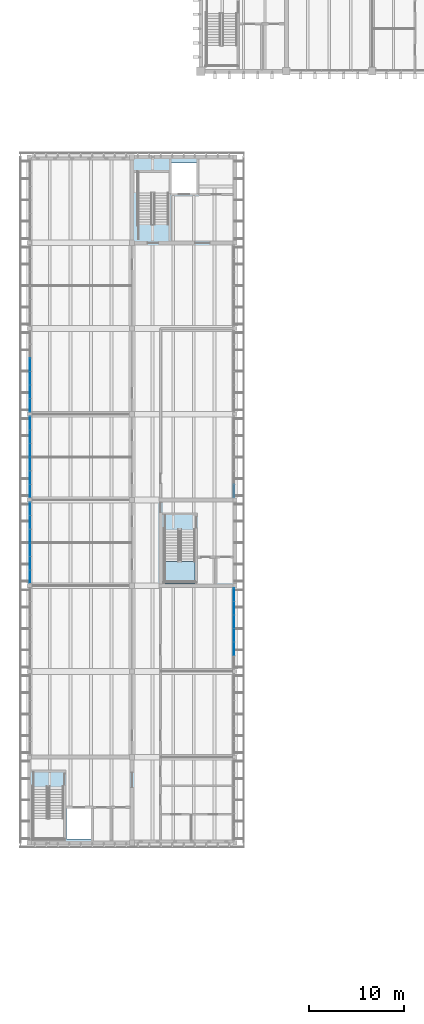
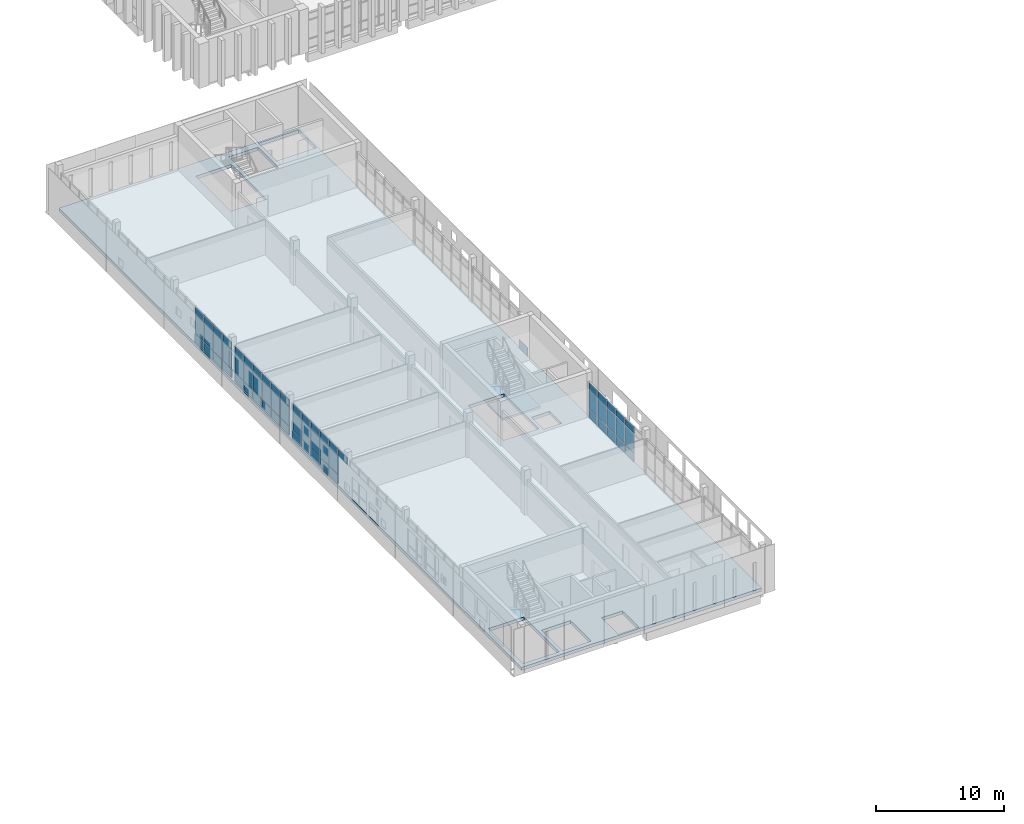
# One storey, part 24 of 50: 62 plates, 2 slabs, 6 elements without a shape of their own.
"""IFC4 building model written with IfcOpenShell, lengths in metres."""

from ifc_helpers import new_model, si_unit, direction, frame, origin, origin_2d, place, context, subcontext, project, spatial, polyline, rectangle, outline, extrude, material, layer, layer_set, type_object, element, aggregate, save


model = new_model("IFC4")

# Units and contexts
model_context = context("Model", 3, precision=1e-05, world=origin(), true_north=direction((0.0, 1.0)))
body_context = subcontext(model_context, "Body", "Model", "MODEL_VIEW")
ifc_project = project(units=[si_unit("LENGTHUNIT", "METRE"), si_unit("AREAUNIT", "SQUARE_METRE"), si_unit("VOLUMEUNIT", "CUBIC_METRE"), si_unit("PLANEANGLEUNIT", "RADIAN"), si_unit("MASSUNIT", "GRAM", prefix="KILO")], contexts=[model_context])

# Site, building, storey
site_placement = place(None, origin())
site = spatial("IfcSite", under=ifc_project, at=site_placement, CompositionType="ELEMENT")
building_placement = place(site_placement, origin())
building = spatial("IfcBuilding", under=site, at=building_placement, Name="Merrow Basin Faculty of Sciences", CompositionType="ELEMENT")
storey_placement = place(building_placement, frame((0.0, 0.0, 18.0)))
storey = spatial("IfcBuildingStorey", under=building, at=storey_placement, Name="L04", CompositionType="ELEMENT", Elevation=18.0)

# Slab
ifc_material_1 = material(Name="Concrete C40/50", Category="concrete")
ifc_layer_1 = layer(ifc_material_1, 0.300048828125)
ifc_layer_set_1 = layer_set([ifc_layer_1], Name="Floor slab 300 Concrete C40/50")
slab_type_1 = type_object("IfcSlabType", Name="Floor slab 300 Concrete C40/50", PredefinedType="FLOOR", material=ifc_layer_set_1)
slab_1_placement = place(storey_placement, frame((0.0, 0.0, -0.300048828125)))
element("IfcSlab", 1, at=slab_1_placement, inside=storey, type_object=slab_type_1, Name="SL11 floor L04 001", PredefinedType="FLOOR", context=body_context, shape_type="SweptSolid", body=[
    extrude(outline(polyline([(0.0, 133.0), (21.60009765625, 133.0), (21.60009765625, 61.0), (0.0, 61.0), (0.0, 133.0)]), holes=[polyline([(17.824951171875, 130.074951171875), (21.449951171875, 130.074951171875), (21.449951171875, 132.85009765625), (17.824951171875, 132.85009765625), (17.824951171875, 130.074951171875)]), polyline([(17.675048828125, 88.14990234375), (19.2890625, 88.14990234375), (19.2890625, 90.0), (17.675048828125, 90.0), (17.675048828125, 88.14990234375)]), polyline([(14.949951171875, 129.199951171875), (17.550048828125, 129.199951171875), (17.550048828125, 132.39990234375), (14.949951171875, 132.39990234375), (14.949951171875, 129.199951171875)]), polyline([(14.199951171875, 88.39990234375), (17.39990234375, 88.39990234375), (17.39990234375, 93.85009765625), (14.199951171875, 93.85009765625), (14.199951171875, 88.39990234375)]), polyline([(11.39990234375, 125.949951171875), (14.60009765625, 125.949951171875), (14.60009765625, 131.39990234375), (11.39990234375, 131.39990234375), (11.39990234375, 125.949951171875)]), polyline([(8.791015625, 61.14990234375), (10.64990234375, 61.14990234375), (10.64990234375, 63.72509765625), (8.791015625, 63.72509765625), (8.791015625, 61.14990234375)]), polyline([(3.89990234375, 61.39990234375), (6.5, 61.39990234375), (6.5, 64.60009765625), (3.89990234375, 64.60009765625), (3.89990234375, 61.39990234375)]), polyline([(0.39990234375, 61.39990234375), (3.60009765625, 61.39990234375), (3.60009765625, 66.85009765625), (0.39990234375, 66.85009765625), (0.39990234375, 61.39990234375)])]), origin(), (0.0, 0.0, 1.0), 0.300048828125),
])

# Curtain wall, plates
ifc_material_2 = material(Name="Aluminium alloy 6063", Category="aluminium")
curtain_wall_type = type_object("IfcCurtainWallType", Name="Bar unitised curtain wall 180", PredefinedType="NOTDEFINED", material=ifc_material_2)
curtain_wall_1_placement = place(storey_placement, origin())
curtain_wall_1 = element("IfcCurtainWall", 2, at=curtain_wall_1_placement, inside=storey, type_object=curtain_wall_type, Name="West curtain wall L04 3", PredefinedType="NOTDEFINED")
ifc_material_3 = material(Name="Insulated aluminium spandrel panel", Category="aluminium")
ifc_layer_2 = layer(ifc_material_3, 0.052001953125)
ifc_layer_set_2 = layer_set([ifc_layer_2], Name="Insulated spandrel panel 52")
plate_type_1 = type_object("IfcPlateType", Name="Insulated spandrel panel 52", PredefinedType="CURTAIN_PANEL", material=ifc_layer_set_2)
plate_1_placement = place(storey_placement, frame((0.090087890625, 90.362548828125, 0.06005859375), z_axis=(0.0, 0.0, 1.0), x_axis=(0.0, 1.0, 0.0)))
plate_1 = element("IfcPlate", 3, at=plate_1_placement, type_object=plate_type_1, Name="CW1 panel 2.1", PredefinedType="CURTAIN_PANEL", context=body_context, shape_type="SweptSolid", body=[
    extrude(rectangle(XDim=1.364990234375, YDim=0.052001953125, at=origin_2d()), origin(), (0.0, 0.0, 1.0), 0.81005859375),
])
plate_2_placement = place(storey_placement, frame((0.090087890625, 91.78759765625, 0.06005859375), z_axis=(0.0, 0.0, 1.0), x_axis=(0.0, 1.0, 0.0)))
plate_2 = element("IfcPlate", 4, at=plate_2_placement, type_object=plate_type_1, Name="CW1 panel 3.1", PredefinedType="CURTAIN_PANEL", context=body_context, shape_type="SweptSolid", body=[
    extrude(rectangle(XDim=1.364990234375, YDim=0.052001953125, at=origin_2d()), origin(), (0.0, 0.0, 1.0), 0.81005859375),
])
plate_3_placement = place(storey_placement, frame((0.090087890625, 93.21240234375, 0.06005859375), z_axis=(0.0, 0.0, 1.0), x_axis=(0.0, 1.0, 0.0)))
plate_3 = element("IfcPlate", 5, at=plate_3_placement, type_object=plate_type_1, Name="CW1 panel 4.1", PredefinedType="CURTAIN_PANEL", context=body_context, shape_type="SweptSolid", body=[
    extrude(rectangle(XDim=1.364990234375, YDim=0.052001953125, at=origin_2d()), origin(), (0.0, 0.0, 1.0), 0.81005859375),
])
plate_4_placement = place(storey_placement, frame((0.090087890625, 94.637451171875, 0.06005859375), z_axis=(0.0, 0.0, 1.0), x_axis=(0.0, 1.0, 0.0)))
plate_4 = element("IfcPlate", 6, at=plate_4_placement, type_object=plate_type_1, Name="CW1 panel 5.1", PredefinedType="CURTAIN_PANEL", context=body_context, shape_type="SweptSolid", body=[
    extrude(rectangle(XDim=1.364990234375, YDim=0.052001953125, at=origin_2d()), origin(), (0.0, 0.0, 1.0), 0.81005859375),
])
plate_5_placement = place(storey_placement, frame((0.090087890625, 96.047607421875, 0.06005859375), z_axis=(0.0, 0.0, 1.0), x_axis=(0.0, 1.0, 0.0)))
plate_5 = element("IfcPlate", 7, at=plate_5_placement, type_object=plate_type_1, Name="CW1 panel 6.1", PredefinedType="CURTAIN_PANEL", context=body_context, shape_type="SweptSolid", body=[
    extrude(rectangle(XDim=1.3349609375, YDim=0.052001953125, at=origin_2d()), origin(), (0.0, 0.0, 1.0), 0.81005859375),
])

curtain_wall_2_placement = place(storey_placement, origin())
curtain_wall_2 = element("IfcCurtainWall", 8, at=curtain_wall_2_placement, inside=storey, type_object=curtain_wall_type, Name="West curtain wall L04 4", PredefinedType="NOTDEFINED")
plate_6_placement = place(storey_placement, frame((0.090087890625, 97.952392578125, 0.06005859375), z_axis=(0.0, 0.0, 1.0), x_axis=(0.0, 1.0, 0.0)))
plate_6 = element("IfcPlate", 9, at=plate_6_placement, type_object=plate_type_1, Name="CW1 panel 1.1", PredefinedType="CURTAIN_PANEL", context=body_context, shape_type="SweptSolid", body=[
    extrude(rectangle(XDim=1.3349609375, YDim=0.052001953125, at=origin_2d()), origin(), (0.0, 0.0, 1.0), 0.81005859375),
])
plate_7_placement = place(storey_placement, frame((0.090087890625, 99.362548828125, 0.06005859375), z_axis=(0.0, 0.0, 1.0), x_axis=(0.0, 1.0, 0.0)))
plate_7 = element("IfcPlate", 10, at=plate_7_placement, type_object=plate_type_1, Name="CW1 panel 2.1", PredefinedType="CURTAIN_PANEL", context=body_context, shape_type="SweptSolid", body=[
    extrude(rectangle(XDim=1.364990234375, YDim=0.052001953125, at=origin_2d()), origin(), (0.0, 0.0, 1.0), 0.81005859375),
])
plate_8_placement = place(storey_placement, frame((0.090087890625, 100.78759765625, 0.06005859375), z_axis=(0.0, 0.0, 1.0), x_axis=(0.0, 1.0, 0.0)))
plate_8 = element("IfcPlate", 11, at=plate_8_placement, type_object=plate_type_1, Name="CW1 panel 3.1", PredefinedType="CURTAIN_PANEL", context=body_context, shape_type="SweptSolid", body=[
    extrude(rectangle(XDim=1.364990234375, YDim=0.052001953125, at=origin_2d()), origin(), (0.0, 0.0, 1.0), 0.81005859375),
])
plate_9_placement = place(storey_placement, frame((0.090087890625, 102.21240234375, 0.06005859375), z_axis=(0.0, 0.0, 1.0), x_axis=(0.0, 1.0, 0.0)))
plate_9 = element("IfcPlate", 12, at=plate_9_placement, type_object=plate_type_1, Name="CW1 panel 4.1", PredefinedType="CURTAIN_PANEL", context=body_context, shape_type="SweptSolid", body=[
    extrude(rectangle(XDim=1.364990234375, YDim=0.052001953125, at=origin_2d()), origin(), (0.0, 0.0, 1.0), 0.81005859375),
])
plate_10_placement = place(storey_placement, frame((0.090087890625, 103.637451171875, 0.06005859375), z_axis=(0.0, 0.0, 1.0), x_axis=(0.0, 1.0, 0.0)))
plate_10 = element("IfcPlate", 13, at=plate_10_placement, type_object=plate_type_1, Name="CW1 panel 5.1", PredefinedType="CURTAIN_PANEL", context=body_context, shape_type="SweptSolid", body=[
    extrude(rectangle(XDim=1.364990234375, YDim=0.052001953125, at=origin_2d()), origin(), (0.0, 0.0, 1.0), 0.81005859375),
])
plate_11_placement = place(storey_placement, frame((0.090087890625, 105.047607421875, 0.06005859375), z_axis=(0.0, 0.0, 1.0), x_axis=(0.0, 1.0, 0.0)))
plate_11 = element("IfcPlate", 14, at=plate_11_placement, type_object=plate_type_1, Name="CW1 panel 6.1", PredefinedType="CURTAIN_PANEL", context=body_context, shape_type="SweptSolid", body=[
    extrude(rectangle(XDim=1.3349609375, YDim=0.052001953125, at=origin_2d()), origin(), (0.0, 0.0, 1.0), 0.81005859375),
])

curtain_wall_3_placement = place(storey_placement, origin())
curtain_wall_3 = element("IfcCurtainWall", 15, at=curtain_wall_3_placement, inside=storey, type_object=curtain_wall_type, Name="West curtain wall L04 5", PredefinedType="NOTDEFINED")
plate_12_placement = place(storey_placement, frame((0.090087890625, 106.952392578125, 0.06005859375), z_axis=(0.0, 0.0, 1.0), x_axis=(0.0, 1.0, 0.0)))
plate_12 = element("IfcPlate", 16, at=plate_12_placement, type_object=plate_type_1, Name="CW1 panel 1.1", PredefinedType="CURTAIN_PANEL", context=body_context, shape_type="SweptSolid", body=[
    extrude(rectangle(XDim=1.3349609375, YDim=0.052001953125, at=origin_2d()), origin(), (0.0, 0.0, 1.0), 0.81005859375),
])
plate_13_placement = place(storey_placement, frame((0.090087890625, 108.362548828125, 0.06005859375), z_axis=(0.0, 0.0, 1.0), x_axis=(0.0, 1.0, 0.0)))
plate_13 = element("IfcPlate", 17, at=plate_13_placement, type_object=plate_type_1, Name="CW1 panel 2.1", PredefinedType="CURTAIN_PANEL", context=body_context, shape_type="SweptSolid", body=[
    extrude(rectangle(XDim=1.364990234375, YDim=0.052001953125, at=origin_2d()), origin(), (0.0, 0.0, 1.0), 0.81005859375),
])
plate_14_placement = place(storey_placement, frame((0.090087890625, 109.78759765625, 0.06005859375), z_axis=(0.0, 0.0, 1.0), x_axis=(0.0, 1.0, 0.0)))
plate_14 = element("IfcPlate", 18, at=plate_14_placement, type_object=plate_type_1, Name="CW1 panel 3.1", PredefinedType="CURTAIN_PANEL", context=body_context, shape_type="SweptSolid", body=[
    extrude(rectangle(XDim=1.364990234375, YDim=0.052001953125, at=origin_2d()), origin(), (0.0, 0.0, 1.0), 0.81005859375),
])
plate_15_placement = place(storey_placement, frame((0.090087890625, 111.21240234375, 0.06005859375), z_axis=(0.0, 0.0, 1.0), x_axis=(0.0, 1.0, 0.0)))
plate_15 = element("IfcPlate", 19, at=plate_15_placement, type_object=plate_type_1, Name="CW1 panel 4.1", PredefinedType="CURTAIN_PANEL", context=body_context, shape_type="SweptSolid", body=[
    extrude(rectangle(XDim=1.364990234375, YDim=0.052001953125, at=origin_2d()), origin(), (0.0, 0.0, 1.0), 0.81005859375),
])

curtain_wall_4_placement = place(storey_placement, origin())
curtain_wall_4 = element("IfcCurtainWall", 20, at=curtain_wall_4_placement, inside=storey, type_object=curtain_wall_type, Name="East curtain wall L04 3", PredefinedType="NOTDEFINED")
plate_16_placement = place(storey_placement, frame((21.510009765625, 81.362548828125, 0.06005859375), z_axis=(0.0, 0.0, 1.0), x_axis=(0.0, 1.0, 0.0)))
plate_16 = element("IfcPlate", 21, at=plate_16_placement, type_object=plate_type_1, Name="CW1 panel 2.1", PredefinedType="CURTAIN_PANEL", context=body_context, shape_type="SweptSolid", body=[
    extrude(rectangle(XDim=1.364990234375, YDim=0.052001953125, at=origin_2d()), origin(), (0.0, 0.0, 1.0), 0.81005859375),
])
plate_17_placement = place(storey_placement, frame((21.510009765625, 82.78759765625, 0.06005859375), z_axis=(0.0, 0.0, 1.0), x_axis=(0.0, 1.0, 0.0)))
plate_17 = element("IfcPlate", 22, at=plate_17_placement, type_object=plate_type_1, Name="CW1 panel 3.1", PredefinedType="CURTAIN_PANEL", context=body_context, shape_type="SweptSolid", body=[
    extrude(rectangle(XDim=1.364990234375, YDim=0.052001953125, at=origin_2d()), origin(), (0.0, 0.0, 1.0), 0.81005859375),
])
plate_18_placement = place(storey_placement, frame((21.510009765625, 84.21240234375, 0.06005859375), z_axis=(0.0, 0.0, 1.0), x_axis=(0.0, 1.0, 0.0)))
plate_18 = element("IfcPlate", 23, at=plate_18_placement, type_object=plate_type_1, Name="CW1 panel 4.1", PredefinedType="CURTAIN_PANEL", context=body_context, shape_type="SweptSolid", body=[
    extrude(rectangle(XDim=1.364990234375, YDim=0.052001953125, at=origin_2d()), origin(), (0.0, 0.0, 1.0), 0.81005859375),
])
plate_19_placement = place(storey_placement, frame((21.510009765625, 85.637451171875, 0.06005859375), z_axis=(0.0, 0.0, 1.0), x_axis=(0.0, 1.0, 0.0)))
plate_19 = element("IfcPlate", 24, at=plate_19_placement, type_object=plate_type_1, Name="CW1 panel 5.1", PredefinedType="CURTAIN_PANEL", context=body_context, shape_type="SweptSolid", body=[
    extrude(rectangle(XDim=1.364990234375, YDim=0.052001953125, at=origin_2d()), origin(), (0.0, 0.0, 1.0), 0.81005859375),
])
plate_20_placement = place(storey_placement, frame((21.510009765625, 87.047607421875, 0.06005859375), z_axis=(0.0, 0.0, 1.0), x_axis=(0.0, 1.0, 0.0)))
plate_20 = element("IfcPlate", 25, at=plate_20_placement, type_object=plate_type_1, Name="CW1 panel 6.1", PredefinedType="CURTAIN_PANEL", context=body_context, shape_type="SweptSolid", body=[
    extrude(rectangle(XDim=1.3349609375, YDim=0.052001953125, at=origin_2d()), origin(), (0.0, 0.0, 1.0), 0.81005859375),
])

# Curtain wall, plate
curtain_wall_5_placement = place(storey_placement, origin())
curtain_wall_5 = element("IfcCurtainWall", 26, at=curtain_wall_5_placement, inside=storey, type_object=curtain_wall_type, Name="East curtain wall L04 4", PredefinedType="NOTDEFINED")
plate_21_placement = place(storey_placement, frame((21.510009765625, 97.952392578125, 0.06005859375), z_axis=(0.0, 0.0, 1.0), x_axis=(0.0, 1.0, 0.0)))
plate_21 = element("IfcPlate", 27, at=plate_21_placement, type_object=plate_type_1, Name="CW1 panel 1.1", PredefinedType="CURTAIN_PANEL", context=body_context, shape_type="SweptSolid", body=[
    extrude(rectangle(XDim=1.3349609375, YDim=0.052001953125, at=origin_2d()), origin(), (0.0, 0.0, 1.0), 0.81005859375),
])
aggregate(curtain_wall_5, [plate_21])

# Plate
ifc_material_4 = material(Name="Low-E double glazing", Category="glass")
ifc_layer_3 = layer(ifc_material_4, 0.028076171875)
ifc_layer_set_3 = layer_set([ifc_layer_3], Name="Low-E double glazed panel 28")
plate_type_2 = type_object("IfcPlateType", Name="Low-E double glazed panel 28", PredefinedType="CURTAIN_PANEL", material=ifc_layer_set_3)
plate_22_placement = place(storey_placement, frame((0.090087890625, 88.952392578125, 2.72998046875), z_axis=(0.0, 0.0, 1.0), x_axis=(0.0, 1.0, 0.0)))
plate_22 = element("IfcPlate", 28, at=plate_22_placement, type_object=plate_type_2, Name="CW1 panel 1.3", PredefinedType="CURTAIN_PANEL", context=body_context, shape_type="SweptSolid", body=[
    extrude(rectangle(XDim=1.3349609375, YDim=0.028076171875, at=origin_2d()), origin(), (0.0, 0.0, 1.0), 0.659912109375),
])

plate_23_placement = place(storey_placement, frame((0.090087890625, 90.362548828125, 0.93017578125), z_axis=(0.0, 0.0, 1.0), x_axis=(0.0, 1.0, 0.0)))
plate_23 = element("IfcPlate", 29, at=plate_23_placement, type_object=plate_type_2, Name="CW1 panel 2.2", PredefinedType="CURTAIN_PANEL", context=body_context, shape_type="SweptSolid", body=[
    extrude(rectangle(XDim=1.364990234375, YDim=0.028076171875, at=origin_2d()), origin(), (0.0, 0.0, 1.0), 1.739990234375),
])

plate_24_placement = place(storey_placement, frame((0.090087890625, 90.362548828125, 2.72998046875), z_axis=(0.0, 0.0, 1.0), x_axis=(0.0, 1.0, 0.0)))
plate_24 = element("IfcPlate", 30, at=plate_24_placement, type_object=plate_type_2, Name="CW1 panel 2.3", PredefinedType="CURTAIN_PANEL", context=body_context, shape_type="SweptSolid", body=[
    extrude(rectangle(XDim=1.364990234375, YDim=0.028076171875, at=origin_2d()), origin(), (0.0, 0.0, 1.0), 0.659912109375),
])

plate_25_placement = place(storey_placement, frame((0.090087890625, 91.78759765625, 0.93017578125), z_axis=(0.0, 0.0, 1.0), x_axis=(0.0, 1.0, 0.0)))
plate_25 = element("IfcPlate", 31, at=plate_25_placement, type_object=plate_type_2, Name="CW1 panel 3.2", PredefinedType="CURTAIN_PANEL", context=body_context, shape_type="SweptSolid", body=[
    extrude(rectangle(XDim=1.364990234375, YDim=0.028076171875, at=origin_2d()), origin(), (0.0, 0.0, 1.0), 1.739990234375),
])

plate_26_placement = place(storey_placement, frame((0.090087890625, 91.78759765625, 2.72998046875), z_axis=(0.0, 0.0, 1.0), x_axis=(0.0, 1.0, 0.0)))
plate_26 = element("IfcPlate", 32, at=plate_26_placement, type_object=plate_type_2, Name="CW1 panel 3.3", PredefinedType="CURTAIN_PANEL", context=body_context, shape_type="SweptSolid", body=[
    extrude(rectangle(XDim=1.364990234375, YDim=0.028076171875, at=origin_2d()), origin(), (0.0, 0.0, 1.0), 0.659912109375),
])

plate_27_placement = place(storey_placement, frame((0.090087890625, 93.21240234375, 0.93017578125), z_axis=(0.0, 0.0, 1.0), x_axis=(0.0, 1.0, 0.0)))
plate_27 = element("IfcPlate", 33, at=plate_27_placement, type_object=plate_type_2, Name="CW1 panel 4.2", PredefinedType="CURTAIN_PANEL", context=body_context, shape_type="SweptSolid", body=[
    extrude(rectangle(XDim=1.364990234375, YDim=0.028076171875, at=origin_2d()), origin(), (0.0, 0.0, 1.0), 1.739990234375),
])

plate_28_placement = place(storey_placement, frame((0.090087890625, 93.21240234375, 2.72998046875), z_axis=(0.0, 0.0, 1.0), x_axis=(0.0, 1.0, 0.0)))
plate_28 = element("IfcPlate", 34, at=plate_28_placement, type_object=plate_type_2, Name="CW1 panel 4.3", PredefinedType="CURTAIN_PANEL", context=body_context, shape_type="SweptSolid", body=[
    extrude(rectangle(XDim=1.364990234375, YDim=0.028076171875, at=origin_2d()), origin(), (0.0, 0.0, 1.0), 0.659912109375),
])

plate_29_placement = place(storey_placement, frame((0.090087890625, 94.637451171875, 0.93017578125), z_axis=(0.0, 0.0, 1.0), x_axis=(0.0, 1.0, 0.0)))
plate_29 = element("IfcPlate", 35, at=plate_29_placement, type_object=plate_type_2, Name="CW1 panel 5.2", PredefinedType="CURTAIN_PANEL", context=body_context, shape_type="SweptSolid", body=[
    extrude(rectangle(XDim=1.364990234375, YDim=0.028076171875, at=origin_2d()), origin(), (0.0, 0.0, 1.0), 1.739990234375),
])

plate_30_placement = place(storey_placement, frame((0.090087890625, 94.637451171875, 2.72998046875), z_axis=(0.0, 0.0, 1.0), x_axis=(0.0, 1.0, 0.0)))
plate_30 = element("IfcPlate", 36, at=plate_30_placement, type_object=plate_type_2, Name="CW1 panel 5.3", PredefinedType="CURTAIN_PANEL", context=body_context, shape_type="SweptSolid", body=[
    extrude(rectangle(XDim=1.364990234375, YDim=0.028076171875, at=origin_2d()), origin(), (0.0, 0.0, 1.0), 0.659912109375),
])

plate_31_placement = place(storey_placement, frame((0.090087890625, 96.047607421875, 0.93017578125), z_axis=(0.0, 0.0, 1.0), x_axis=(0.0, 1.0, 0.0)))
plate_31 = element("IfcPlate", 37, at=plate_31_placement, type_object=plate_type_2, Name="CW1 panel 6.2", PredefinedType="CURTAIN_PANEL", context=body_context, shape_type="SweptSolid", body=[
    extrude(rectangle(XDim=1.3349609375, YDim=0.028076171875, at=origin_2d()), origin(), (0.0, 0.0, 1.0), 1.739990234375),
])

plate_32_placement = place(storey_placement, frame((0.090087890625, 96.047607421875, 2.72998046875), z_axis=(0.0, 0.0, 1.0), x_axis=(0.0, 1.0, 0.0)))
plate_32 = element("IfcPlate", 38, at=plate_32_placement, type_object=plate_type_2, Name="CW1 panel 6.3", PredefinedType="CURTAIN_PANEL", context=body_context, shape_type="SweptSolid", body=[
    extrude(rectangle(XDim=1.3349609375, YDim=0.028076171875, at=origin_2d()), origin(), (0.0, 0.0, 1.0), 0.659912109375),
])

aggregate(curtain_wall_1, [plate_22, plate_1, plate_23, plate_24, plate_2, plate_25, plate_26, plate_3, plate_27, plate_28, plate_4, plate_29, plate_30, plate_5, plate_31, plate_32])

plate_33_placement = place(storey_placement, frame((0.090087890625, 97.952392578125, 0.93017578125), z_axis=(0.0, 0.0, 1.0), x_axis=(0.0, 1.0, 0.0)))
plate_33 = element("IfcPlate", 39, at=plate_33_placement, type_object=plate_type_2, Name="CW1 panel 1.2", PredefinedType="CURTAIN_PANEL", context=body_context, shape_type="SweptSolid", body=[
    extrude(rectangle(XDim=1.3349609375, YDim=0.028076171875, at=origin_2d()), origin(), (0.0, 0.0, 1.0), 1.739990234375),
])

plate_34_placement = place(storey_placement, frame((0.090087890625, 97.952392578125, 2.72998046875), z_axis=(0.0, 0.0, 1.0), x_axis=(0.0, 1.0, 0.0)))
plate_34 = element("IfcPlate", 40, at=plate_34_placement, type_object=plate_type_2, Name="CW1 panel 1.3", PredefinedType="CURTAIN_PANEL", context=body_context, shape_type="SweptSolid", body=[
    extrude(rectangle(XDim=1.3349609375, YDim=0.028076171875, at=origin_2d()), origin(), (0.0, 0.0, 1.0), 0.659912109375),
])

plate_35_placement = place(storey_placement, frame((0.090087890625, 99.362548828125, 0.93017578125), z_axis=(0.0, 0.0, 1.0), x_axis=(0.0, 1.0, 0.0)))
plate_35 = element("IfcPlate", 41, at=plate_35_placement, type_object=plate_type_2, Name="CW1 panel 2.2", PredefinedType="CURTAIN_PANEL", context=body_context, shape_type="SweptSolid", body=[
    extrude(rectangle(XDim=1.364990234375, YDim=0.028076171875, at=origin_2d()), origin(), (0.0, 0.0, 1.0), 1.739990234375),
])

plate_36_placement = place(storey_placement, frame((0.090087890625, 99.362548828125, 2.72998046875), z_axis=(0.0, 0.0, 1.0), x_axis=(0.0, 1.0, 0.0)))
plate_36 = element("IfcPlate", 42, at=plate_36_placement, type_object=plate_type_2, Name="CW1 panel 2.3", PredefinedType="CURTAIN_PANEL", context=body_context, shape_type="SweptSolid", body=[
    extrude(rectangle(XDim=1.364990234375, YDim=0.028076171875, at=origin_2d()), origin(), (0.0, 0.0, 1.0), 0.659912109375),
])

plate_37_placement = place(storey_placement, frame((0.090087890625, 100.78759765625, 0.93017578125), z_axis=(0.0, 0.0, 1.0), x_axis=(0.0, 1.0, 0.0)))
plate_37 = element("IfcPlate", 43, at=plate_37_placement, type_object=plate_type_2, Name="CW1 panel 3.2", PredefinedType="CURTAIN_PANEL", context=body_context, shape_type="SweptSolid", body=[
    extrude(rectangle(XDim=1.364990234375, YDim=0.028076171875, at=origin_2d()), origin(), (0.0, 0.0, 1.0), 1.739990234375),
])

plate_38_placement = place(storey_placement, frame((0.090087890625, 100.78759765625, 2.72998046875), z_axis=(0.0, 0.0, 1.0), x_axis=(0.0, 1.0, 0.0)))
plate_38 = element("IfcPlate", 44, at=plate_38_placement, type_object=plate_type_2, Name="CW1 panel 3.3", PredefinedType="CURTAIN_PANEL", context=body_context, shape_type="SweptSolid", body=[
    extrude(rectangle(XDim=1.364990234375, YDim=0.028076171875, at=origin_2d()), origin(), (0.0, 0.0, 1.0), 0.659912109375),
])

plate_39_placement = place(storey_placement, frame((0.090087890625, 102.21240234375, 0.93017578125), z_axis=(0.0, 0.0, 1.0), x_axis=(0.0, 1.0, 0.0)))
plate_39 = element("IfcPlate", 45, at=plate_39_placement, type_object=plate_type_2, Name="CW1 panel 4.2", PredefinedType="CURTAIN_PANEL", context=body_context, shape_type="SweptSolid", body=[
    extrude(rectangle(XDim=1.364990234375, YDim=0.028076171875, at=origin_2d()), origin(), (0.0, 0.0, 1.0), 1.739990234375),
])

plate_40_placement = place(storey_placement, frame((0.090087890625, 102.21240234375, 2.72998046875), z_axis=(0.0, 0.0, 1.0), x_axis=(0.0, 1.0, 0.0)))
plate_40 = element("IfcPlate", 46, at=plate_40_placement, type_object=plate_type_2, Name="CW1 panel 4.3", PredefinedType="CURTAIN_PANEL", context=body_context, shape_type="SweptSolid", body=[
    extrude(rectangle(XDim=1.364990234375, YDim=0.028076171875, at=origin_2d()), origin(), (0.0, 0.0, 1.0), 0.659912109375),
])

plate_41_placement = place(storey_placement, frame((0.090087890625, 103.637451171875, 0.93017578125), z_axis=(0.0, 0.0, 1.0), x_axis=(0.0, 1.0, 0.0)))
plate_41 = element("IfcPlate", 47, at=plate_41_placement, type_object=plate_type_2, Name="CW1 panel 5.2", PredefinedType="CURTAIN_PANEL", context=body_context, shape_type="SweptSolid", body=[
    extrude(rectangle(XDim=1.364990234375, YDim=0.028076171875, at=origin_2d()), origin(), (0.0, 0.0, 1.0), 1.739990234375),
])

plate_42_placement = place(storey_placement, frame((0.090087890625, 103.637451171875, 2.72998046875), z_axis=(0.0, 0.0, 1.0), x_axis=(0.0, 1.0, 0.0)))
plate_42 = element("IfcPlate", 48, at=plate_42_placement, type_object=plate_type_2, Name="CW1 panel 5.3", PredefinedType="CURTAIN_PANEL", context=body_context, shape_type="SweptSolid", body=[
    extrude(rectangle(XDim=1.364990234375, YDim=0.028076171875, at=origin_2d()), origin(), (0.0, 0.0, 1.0), 0.659912109375),
])

plate_43_placement = place(storey_placement, frame((0.090087890625, 105.047607421875, 0.93017578125), z_axis=(0.0, 0.0, 1.0), x_axis=(0.0, 1.0, 0.0)))
plate_43 = element("IfcPlate", 49, at=plate_43_placement, type_object=plate_type_2, Name="CW1 panel 6.2", PredefinedType="CURTAIN_PANEL", context=body_context, shape_type="SweptSolid", body=[
    extrude(rectangle(XDim=1.3349609375, YDim=0.028076171875, at=origin_2d()), origin(), (0.0, 0.0, 1.0), 1.739990234375),
])

plate_44_placement = place(storey_placement, frame((0.090087890625, 105.047607421875, 2.72998046875), z_axis=(0.0, 0.0, 1.0), x_axis=(0.0, 1.0, 0.0)))
plate_44 = element("IfcPlate", 50, at=plate_44_placement, type_object=plate_type_2, Name="CW1 panel 6.3", PredefinedType="CURTAIN_PANEL", context=body_context, shape_type="SweptSolid", body=[
    extrude(rectangle(XDim=1.3349609375, YDim=0.028076171875, at=origin_2d()), origin(), (0.0, 0.0, 1.0), 0.659912109375),
])

aggregate(curtain_wall_2, [plate_6, plate_33, plate_34, plate_7, plate_35, plate_36, plate_8, plate_37, plate_38, plate_9, plate_39, plate_40, plate_10, plate_41, plate_42, plate_11, plate_43, plate_44])

plate_45_placement = place(storey_placement, frame((0.090087890625, 106.952392578125, 0.93017578125), z_axis=(0.0, 0.0, 1.0), x_axis=(0.0, 1.0, 0.0)))
plate_45 = element("IfcPlate", 51, at=plate_45_placement, type_object=plate_type_2, Name="CW1 panel 1.2", PredefinedType="CURTAIN_PANEL", context=body_context, shape_type="SweptSolid", body=[
    extrude(rectangle(XDim=1.3349609375, YDim=0.028076171875, at=origin_2d()), origin(), (0.0, 0.0, 1.0), 1.739990234375),
])

plate_46_placement = place(storey_placement, frame((0.090087890625, 106.952392578125, 2.72998046875), z_axis=(0.0, 0.0, 1.0), x_axis=(0.0, 1.0, 0.0)))
plate_46 = element("IfcPlate", 52, at=plate_46_placement, type_object=plate_type_2, Name="CW1 panel 1.3", PredefinedType="CURTAIN_PANEL", context=body_context, shape_type="SweptSolid", body=[
    extrude(rectangle(XDim=1.3349609375, YDim=0.028076171875, at=origin_2d()), origin(), (0.0, 0.0, 1.0), 0.659912109375),
])

plate_47_placement = place(storey_placement, frame((0.090087890625, 108.362548828125, 0.93017578125), z_axis=(0.0, 0.0, 1.0), x_axis=(0.0, 1.0, 0.0)))
plate_47 = element("IfcPlate", 53, at=plate_47_placement, type_object=plate_type_2, Name="CW1 panel 2.2", PredefinedType="CURTAIN_PANEL", context=body_context, shape_type="SweptSolid", body=[
    extrude(rectangle(XDim=1.364990234375, YDim=0.028076171875, at=origin_2d()), origin(), (0.0, 0.0, 1.0), 1.739990234375),
])

plate_48_placement = place(storey_placement, frame((0.090087890625, 108.362548828125, 2.72998046875), z_axis=(0.0, 0.0, 1.0), x_axis=(0.0, 1.0, 0.0)))
plate_48 = element("IfcPlate", 54, at=plate_48_placement, type_object=plate_type_2, Name="CW1 panel 2.3", PredefinedType="CURTAIN_PANEL", context=body_context, shape_type="SweptSolid", body=[
    extrude(rectangle(XDim=1.364990234375, YDim=0.028076171875, at=origin_2d()), origin(), (0.0, 0.0, 1.0), 0.659912109375),
])

plate_49_placement = place(storey_placement, frame((0.090087890625, 109.78759765625, 0.93017578125), z_axis=(0.0, 0.0, 1.0), x_axis=(0.0, 1.0, 0.0)))
plate_49 = element("IfcPlate", 55, at=plate_49_placement, type_object=plate_type_2, Name="CW1 panel 3.2", PredefinedType="CURTAIN_PANEL", context=body_context, shape_type="SweptSolid", body=[
    extrude(rectangle(XDim=1.364990234375, YDim=0.028076171875, at=origin_2d()), origin(), (0.0, 0.0, 1.0), 1.739990234375),
])

plate_50_placement = place(storey_placement, frame((0.090087890625, 109.78759765625, 2.72998046875), z_axis=(0.0, 0.0, 1.0), x_axis=(0.0, 1.0, 0.0)))
plate_50 = element("IfcPlate", 56, at=plate_50_placement, type_object=plate_type_2, Name="CW1 panel 3.3", PredefinedType="CURTAIN_PANEL", context=body_context, shape_type="SweptSolid", body=[
    extrude(rectangle(XDim=1.364990234375, YDim=0.028076171875, at=origin_2d()), origin(), (0.0, 0.0, 1.0), 0.659912109375),
])

plate_51_placement = place(storey_placement, frame((0.090087890625, 111.21240234375, 0.93017578125), z_axis=(0.0, 0.0, 1.0), x_axis=(0.0, 1.0, 0.0)))
plate_51 = element("IfcPlate", 57, at=plate_51_placement, type_object=plate_type_2, Name="CW1 panel 4.2", PredefinedType="CURTAIN_PANEL", context=body_context, shape_type="SweptSolid", body=[
    extrude(rectangle(XDim=1.364990234375, YDim=0.028076171875, at=origin_2d()), origin(), (0.0, 0.0, 1.0), 1.739990234375),
])

plate_52_placement = place(storey_placement, frame((0.090087890625, 111.21240234375, 2.72998046875), z_axis=(0.0, 0.0, 1.0), x_axis=(0.0, 1.0, 0.0)))
plate_52 = element("IfcPlate", 58, at=plate_52_placement, type_object=plate_type_2, Name="CW1 panel 4.3", PredefinedType="CURTAIN_PANEL", context=body_context, shape_type="SweptSolid", body=[
    extrude(rectangle(XDim=1.364990234375, YDim=0.028076171875, at=origin_2d()), origin(), (0.0, 0.0, 1.0), 0.659912109375),
])

aggregate(curtain_wall_3, [plate_12, plate_45, plate_46, plate_13, plate_47, plate_48, plate_14, plate_49, plate_50, plate_15, plate_51, plate_52])

plate_53_placement = place(storey_placement, frame((21.510009765625, 81.362548828125, 0.93017578125), z_axis=(0.0, 0.0, 1.0), x_axis=(0.0, 1.0, 0.0)))
plate_53 = element("IfcPlate", 59, at=plate_53_placement, type_object=plate_type_2, Name="CW1 panel 2.2", PredefinedType="CURTAIN_PANEL", context=body_context, shape_type="SweptSolid", body=[
    extrude(rectangle(XDim=1.364990234375, YDim=0.028076171875, at=origin_2d()), origin(), (0.0, 0.0, 1.0), 1.739990234375),
])

plate_54_placement = place(storey_placement, frame((21.510009765625, 81.362548828125, 2.72998046875), z_axis=(0.0, 0.0, 1.0), x_axis=(0.0, 1.0, 0.0)))
plate_54 = element("IfcPlate", 60, at=plate_54_placement, type_object=plate_type_2, Name="CW1 panel 2.3", PredefinedType="CURTAIN_PANEL", context=body_context, shape_type="SweptSolid", body=[
    extrude(rectangle(XDim=1.364990234375, YDim=0.028076171875, at=origin_2d()), origin(), (0.0, 0.0, 1.0), 0.659912109375),
])

plate_55_placement = place(storey_placement, frame((21.510009765625, 82.78759765625, 0.93017578125), z_axis=(0.0, 0.0, 1.0), x_axis=(0.0, 1.0, 0.0)))
plate_55 = element("IfcPlate", 61, at=plate_55_placement, type_object=plate_type_2, Name="CW1 panel 3.2", PredefinedType="CURTAIN_PANEL", context=body_context, shape_type="SweptSolid", body=[
    extrude(rectangle(XDim=1.364990234375, YDim=0.028076171875, at=origin_2d()), origin(), (0.0, 0.0, 1.0), 1.739990234375),
])

plate_56_placement = place(storey_placement, frame((21.510009765625, 82.78759765625, 2.72998046875), z_axis=(0.0, 0.0, 1.0), x_axis=(0.0, 1.0, 0.0)))
plate_56 = element("IfcPlate", 62, at=plate_56_placement, type_object=plate_type_2, Name="CW1 panel 3.3", PredefinedType="CURTAIN_PANEL", context=body_context, shape_type="SweptSolid", body=[
    extrude(rectangle(XDim=1.364990234375, YDim=0.028076171875, at=origin_2d()), origin(), (0.0, 0.0, 1.0), 0.659912109375),
])

plate_57_placement = place(storey_placement, frame((21.510009765625, 84.21240234375, 0.93017578125), z_axis=(0.0, 0.0, 1.0), x_axis=(0.0, 1.0, 0.0)))
plate_57 = element("IfcPlate", 63, at=plate_57_placement, type_object=plate_type_2, Name="CW1 panel 4.2", PredefinedType="CURTAIN_PANEL", context=body_context, shape_type="SweptSolid", body=[
    extrude(rectangle(XDim=1.364990234375, YDim=0.028076171875, at=origin_2d()), origin(), (0.0, 0.0, 1.0), 1.739990234375),
])

plate_58_placement = place(storey_placement, frame((21.510009765625, 84.21240234375, 2.72998046875), z_axis=(0.0, 0.0, 1.0), x_axis=(0.0, 1.0, 0.0)))
plate_58 = element("IfcPlate", 64, at=plate_58_placement, type_object=plate_type_2, Name="CW1 panel 4.3", PredefinedType="CURTAIN_PANEL", context=body_context, shape_type="SweptSolid", body=[
    extrude(rectangle(XDim=1.364990234375, YDim=0.028076171875, at=origin_2d()), origin(), (0.0, 0.0, 1.0), 0.659912109375),
])

plate_59_placement = place(storey_placement, frame((21.510009765625, 85.637451171875, 0.93017578125), z_axis=(0.0, 0.0, 1.0), x_axis=(0.0, 1.0, 0.0)))
plate_59 = element("IfcPlate", 65, at=plate_59_placement, type_object=plate_type_2, Name="CW1 panel 5.2", PredefinedType="CURTAIN_PANEL", context=body_context, shape_type="SweptSolid", body=[
    extrude(rectangle(XDim=1.364990234375, YDim=0.028076171875, at=origin_2d()), origin(), (0.0, 0.0, 1.0), 1.739990234375),
])

plate_60_placement = place(storey_placement, frame((21.510009765625, 85.637451171875, 2.72998046875), z_axis=(0.0, 0.0, 1.0), x_axis=(0.0, 1.0, 0.0)))
plate_60 = element("IfcPlate", 66, at=plate_60_placement, type_object=plate_type_2, Name="CW1 panel 5.3", PredefinedType="CURTAIN_PANEL", context=body_context, shape_type="SweptSolid", body=[
    extrude(rectangle(XDim=1.364990234375, YDim=0.028076171875, at=origin_2d()), origin(), (0.0, 0.0, 1.0), 0.659912109375),
])

plate_61_placement = place(storey_placement, frame((21.510009765625, 87.047607421875, 0.93017578125), z_axis=(0.0, 0.0, 1.0), x_axis=(0.0, 1.0, 0.0)))
plate_61 = element("IfcPlate", 67, at=plate_61_placement, type_object=plate_type_2, Name="CW1 panel 6.2", PredefinedType="CURTAIN_PANEL", context=body_context, shape_type="SweptSolid", body=[
    extrude(rectangle(XDim=1.3349609375, YDim=0.028076171875, at=origin_2d()), origin(), (0.0, 0.0, 1.0), 1.739990234375),
])

plate_62_placement = place(storey_placement, frame((21.510009765625, 87.047607421875, 2.72998046875), z_axis=(0.0, 0.0, 1.0), x_axis=(0.0, 1.0, 0.0)))
plate_62 = element("IfcPlate", 68, at=plate_62_placement, type_object=plate_type_2, Name="CW1 panel 6.3", PredefinedType="CURTAIN_PANEL", context=body_context, shape_type="SweptSolid", body=[
    extrude(rectangle(XDim=1.3349609375, YDim=0.028076171875, at=origin_2d()), origin(), (0.0, 0.0, 1.0), 0.659912109375),
])

aggregate(curtain_wall_4, [plate_16, plate_53, plate_54, plate_17, plate_55, plate_56, plate_18, plate_57, plate_58, plate_19, plate_59, plate_60, plate_20, plate_61, plate_62])

# Stair, slab
ifc_material_5 = material(Name="Concrete C40/50", Category="concrete")
stair_type = type_object("IfcStairType", Name="Concrete dog-leg stair Concrete C40/50", PredefinedType="HALF_TURN_STAIR", material=ifc_material_5)
stair_placement = place(storey_placement, origin())
stair = element("IfcStair", 69, at=stair_placement, inside=storey, type_object=stair_type, Name="L04 Exit stair M", PredefinedType="HALF_TURN_STAIR")
ifc_material_6 = material(Name="Concrete C40/50", Category="concrete")
ifc_layer_4 = layer(ifc_material_6, 0.199951171875)
ifc_layer_set_4 = layer_set([ifc_layer_4], Name="Stair landing 200 Concrete C40/50")
slab_type_2 = type_object("IfcSlabType", Name="Stair landing 200 Concrete C40/50", PredefinedType="LANDING", material=ifc_layer_set_4)
slab_2_placement = place(storey_placement, frame((0.0, 0.0, 2.050048828125)))
slab_2 = element("IfcSlab", 70, at=slab_2_placement, type_object=slab_type_2, Name="ST-V4-M landing 1", PredefinedType="LANDING", context=body_context, shape_type="SweptSolid", body=[
    extrude(outline(polyline([(14.0, 88.199951171875), (17.39990234375, 88.199951171875), (17.39990234375, 90.5400390625), (14.0, 90.5400390625), (14.0, 88.199951171875)])), origin(), (0.0, 0.0, 1.0), 0.199951171875),
])
aggregate(stair, [slab_2])

save(model, "model.ifc")
